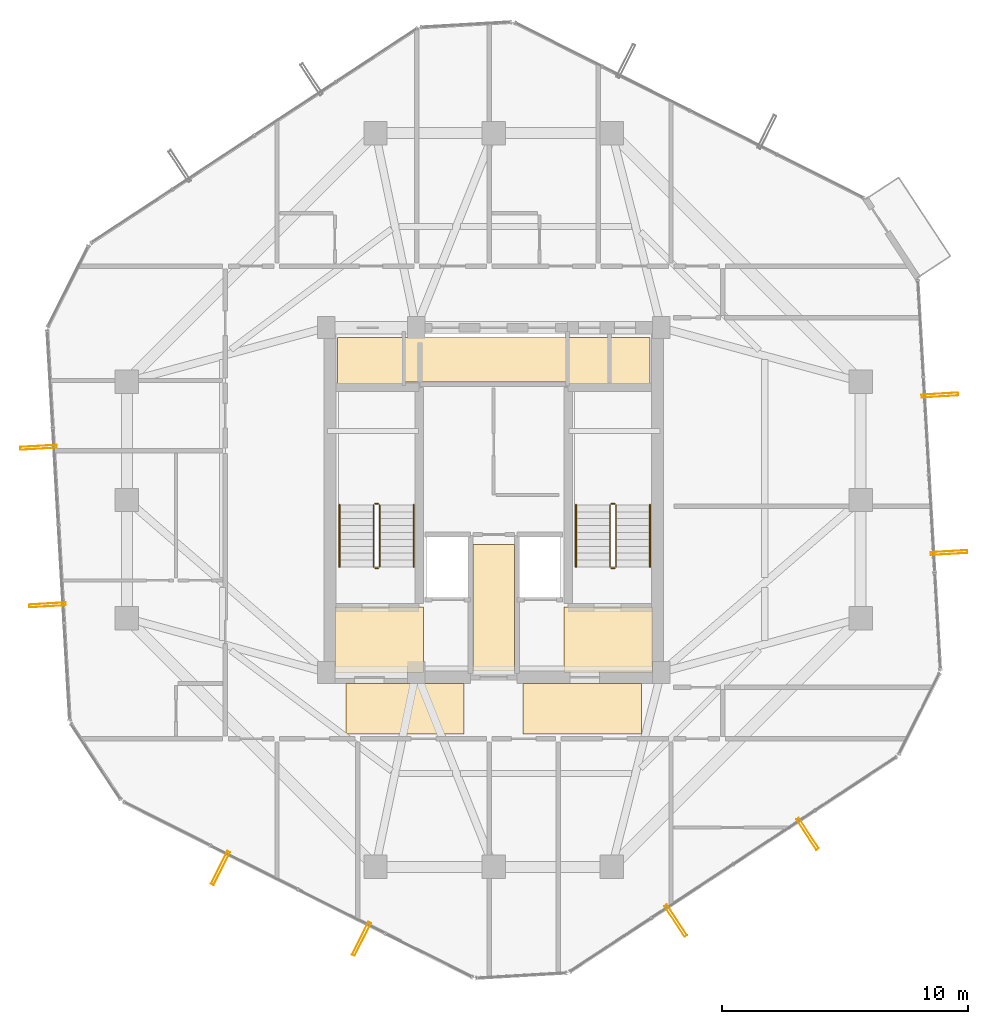
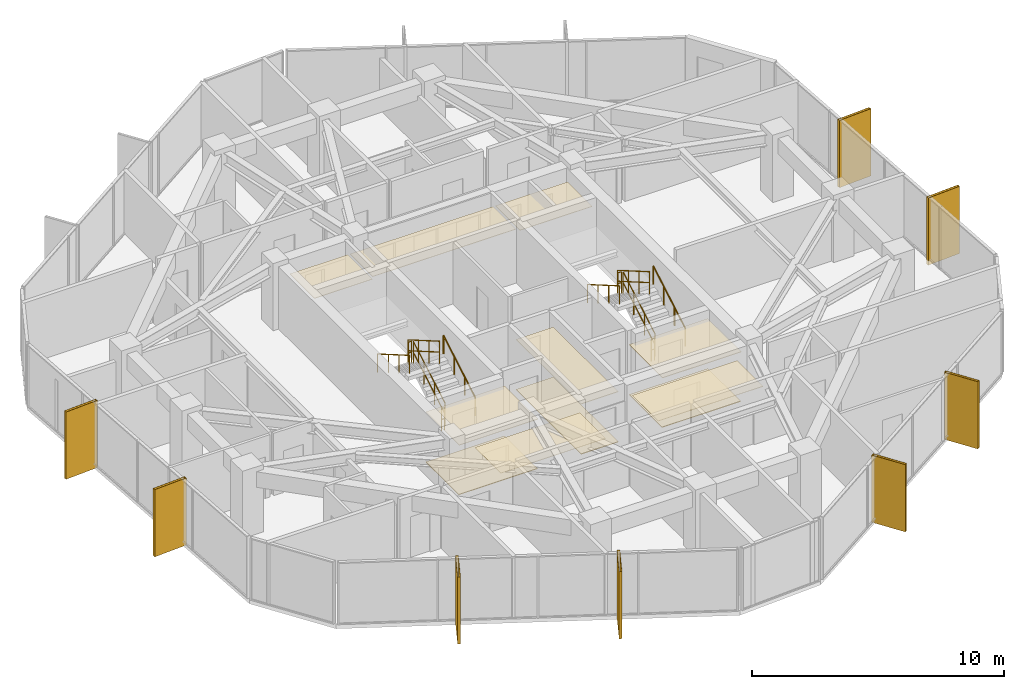
# One storey, part 32 of 33: 12 railings, 11 coverings, 8 shading devices.
"""IFC4 building model written with IfcOpenShell, lengths in metres."""

from ifc_helpers import new_model, si_unit, direction, frame, origin, origin_2d, place, context, subcontext, project, spatial, polyline, hollow_rectangle, circle, outline, extrude, material, layer, layer_set, material_profile, profile_set, type_object, element, save


model = new_model("IFC4")

# Units and contexts
model_context = context("Model", 3, precision=1e-05, world=origin(), true_north=direction((0.0, 1.0)))
body_context = subcontext(model_context, "Body", "Model", "MODEL_VIEW")
ifc_project = project(units=[si_unit("LENGTHUNIT", "METRE"), si_unit("AREAUNIT", "SQUARE_METRE"), si_unit("VOLUMEUNIT", "CUBIC_METRE"), si_unit("PLANEANGLEUNIT", "RADIAN"), si_unit("MASSUNIT", "GRAM", prefix="KILO")], contexts=[model_context])

# Site, building, storey
site_placement = place(None, origin())
site = spatial("IfcSite", under=ifc_project, at=site_placement, CompositionType="ELEMENT")
building_placement = place(site_placement, origin())
building = spatial("IfcBuilding", under=site, at=building_placement, Name="Veraguas Prism Commons", CompositionType="ELEMENT")
storey_placement = place(building_placement, frame((0.0, 0.0, 195.10009765625)))
storey = spatial("IfcBuildingStorey", under=building, at=storey_placement, Name="L55", CompositionType="ELEMENT", Elevation=195.10009765625)

# Shading devices
ifc_material_1 = material(Name="Anodised aluminium EN AW-6063 T6", Category="aluminium")
ifc_material_profile = material_profile(ifc_material_1, hollow_rectangle(XDim=0.1201171875, YDim=1.489990234375, WallThickness=0.006103515625, at=origin_2d()), Name="FIN120X1490X6")
ifc_profile_set = profile_set([ifc_material_profile], Name="Anodised aluminium EN AW-6063 T6")
shading_device_type = type_object("IfcShadingDeviceType", Name="Deep Pale-Metal Vertical Solar Fin 120x1490", PredefinedType="USERDEFINED", material=ifc_profile_set)
for number, where, z_axis, x_axis, name in (
    (1, (5.510009765625, 26.13720703125, -0.215087890625), (0.0, 0.0, 1.0), (0.057912510481, -0.998321662156, 0.0), "Vertical Pale-Metal Solar Fin L55-F3A"),
    (2, (5.881103515625, 19.739013671875, -0.215087890625), (0.0, 0.0, 1.0), (0.057912510481, -0.998321662156, 0.0), "Vertical Pale-Metal Solar Fin L55-F3B"),
    (3, (12.904052734375, 9.055908203125, -0.215087890625), (0.0, 0.0, 1.0), (0.893528175816, -0.449007125805, 0.0), "Vertical Pale-Metal Solar Fin L55-F4A"),
    (4, (18.630615234375, 6.177978515625, -0.215087890625), (0.0, 0.0, 1.0), (0.893528175816, -0.449007125805, 0.0), "Vertical Pale-Metal Solar Fin L55-F4B"),
    (5, (31.39404296875, 6.91845703125, -0.215087890625), (0.0, 0.0, 1.0), (0.835617582799, 0.549311619499, 0.0), "Vertical Pale-Metal Solar Fin L55-F5A"),
    (6, (36.74951171875, 10.43896484375, -0.215087890625), (0.0, 0.0, 1.0), (0.835617582799, 0.549311619499, 0.0), "Vertical Pale-Metal Solar Fin L55-F5B"),
    (7, (42.489990234375, 21.86279296875, -0.215087890625), (0.0, 0.0, 1.0), (-0.057912510481, 0.998321662156, 0.0), "Vertical Pale-Metal Solar Fin L55-F6A"),
    (8, (42.118896484375, 28.260986328125, -0.215087890625), (0.0, 0.0, 1.0), (-0.057912510481, 0.998321662156, 0.0), "Vertical Pale-Metal Solar Fin L55-F6B"),
):
    element("IfcShadingDevice", number, at=place(storey_placement, frame(where, z_axis=z_axis, x_axis=x_axis)), inside=storey, type_object=shading_device_type, Name=name, ObjectType="FIN", PredefinedType="USERDEFINED", context=body_context, shape_type="SweptSolid", body=[
        extrude(hollow_rectangle(XDim=0.1201171875, YDim=1.489990234375, WallThickness=0.006103515625, at=origin_2d()), origin(), (0.0, 0.0, 1.0), 3.25),
    ])

# Coverings
ifc_material_2 = material(Name="Acoustic gypsum board")
ifc_layer_1 = layer(ifc_material_2, 0.02490234375, Name="Perforated Acoustic Ceiling Tile 25")
ifc_layer_set_1 = layer_set([ifc_layer_1], Name="Acoustic gypsum board")
covering_type_1 = type_object("IfcCoveringType", Name="Perforated Acoustic Ceiling Tile 25", PredefinedType="USERDEFINED", material=ifc_layer_set_1)
covering_1_placement = place(storey_placement, frame((0.0, 0.0, 2.4248046875)))
element("IfcCovering", 9, at=covering_1_placement, inside=storey, type_object=covering_type_1, Name="East Lobby Acoustic Ceiling L55", ObjectType="ACOUSTIC CEILING", PredefinedType="USERDEFINED", context=body_context, shape_type="SweptSolid", body=[
    extrude(outline(polyline([(26.85009765625, 17.0), (30.449951171875, 17.0), (30.449951171875, 19.64990234375), (26.85009765625, 19.64990234375), (26.85009765625, 17.0)])), origin(), (0.0, 0.0, 1.0), 0.025146484375),
])
ifc_material_3 = material(Name="Terrazzo stone finish", Category="masonry")
ifc_layer_2 = layer(ifc_material_3, 0.030029296875, Name="Polished Terrazzo Floor Finish 30", Category="masonry")
ifc_layer_set_2 = layer_set([ifc_layer_2], Name="Terrazzo stone finish")
covering_type_2 = type_object("IfcCoveringType", Name="Polished Terrazzo Floor Finish 30", PredefinedType="FLOORING", material=ifc_layer_set_2)
covering_2_placement = place(storey_placement, origin())
element("IfcCovering", 10, at=covering_2_placement, inside=storey, type_object=covering_type_2, Name="Terrazzo Lobby Flooring L55", PredefinedType="FLOORING", context=body_context, shape_type="SweptSolid", body=[
    extrude(outline(polyline([(23.14990234375, 17.050048828125), (24.85009765625, 17.050048828125), (24.85009765625, 22.199951171875), (23.14990234375, 22.199951171875), (23.14990234375, 17.050048828125)])), origin(), (0.0, 0.0, 1.0), 0.02978515625),
])
covering_3_placement = place(storey_placement, origin())
element("IfcCovering", 11, at=covering_3_placement, inside=storey, type_object=covering_type_2, Name="West FF Lobby Terrazzo Flooring L55", PredefinedType="FLOORING", context=body_context, shape_type="SweptSolid", body=[
    extrude(outline(polyline([(17.550048828125, 17.050048828125), (21.14990234375, 17.050048828125), (21.14990234375, 19.64990234375), (17.550048828125, 19.64990234375), (17.550048828125, 17.050048828125)])), origin(), (0.0, 0.0, 1.0), 0.02978515625),
])
covering_4_placement = place(storey_placement, origin())
element("IfcCovering", 12, at=covering_4_placement, inside=storey, type_object=covering_type_2, Name="East FF Lobby Terrazzo Flooring L55", PredefinedType="FLOORING", context=body_context, shape_type="SweptSolid", body=[
    extrude(outline(polyline([(26.85009765625, 17.050048828125), (30.449951171875, 17.050048828125), (30.449951171875, 19.64990234375), (26.85009765625, 19.64990234375), (26.85009765625, 17.050048828125)])), origin(), (0.0, 0.0, 1.0), 0.02978515625),
])

# Railings
ifc_material_4 = material(Name="Stainless steel AISI 316", Category="steel")
railing_type_1 = type_object("IfcRailingType", Name="Stair and Ramp Stainless Handrail 900", PredefinedType="HANDRAIL", material=ifc_material_4)
railing_1_placement = place(storey_placement, frame((20.75, 21.280029296875, 0.162353515625)))
element("IfcRailing", 13, at=railing_1_placement, inside=storey, type_object=railing_type_1, Name="Stair Handrail ST-01 L55-1", PredefinedType="HANDRAIL", context=body_context, shape_type="SweptSolid", body=[
    extrude(circle(Radius=0.02392578125, at=origin_2d()), frame((0.0, 0.0, 0.8759765625), z_axis=(0.0, 0.864876961378, 0.501983905795), x_axis=(-1.0, 0.0, 0.0)), (0.0, 0.0, 1.0), 2.913818359375),
    extrude(circle(Radius=0.02099609375, at=origin_2d()), origin(), (0.0, 0.0, 1.0), 0.851806640625),
    extrude(circle(Radius=0.02099609375, at=origin_2d()), frame((0.0, 0.840087890625, 0.487548828125)), (0.0, 0.0, 1.0), 0.851806640625),
    extrude(circle(Radius=0.02099609375, at=origin_2d()), frame((0.0, 1.679931640625, 0.97509765625)), (0.0, 0.0, 1.0), 0.851806640625),
    extrude(circle(Radius=0.02099609375, at=origin_2d()), frame((0.0, 2.52001953125, 1.462646484375)), (0.0, 0.0, 1.0), 0.851806640625),
])
railing_2_placement = place(storey_placement, frame((17.739990234375, 23.800048828125, 1.787353515625)))
element("IfcRailing", 14, at=railing_2_placement, inside=storey, type_object=railing_type_1, Name="Stair Handrail ST-01 L55-2", PredefinedType="HANDRAIL", context=body_context, shape_type="SweptSolid", body=[
    extrude(circle(Radius=0.02392578125, at=origin_2d()), frame((0.0, 0.0, 0.8759765625), z_axis=(0.0, -0.864876961378, 0.501983905795), x_axis=(1.0, 0.0, 0.0)), (0.0, 0.0, 1.0), 2.913818359375),
    extrude(circle(Radius=0.02099609375, at=origin_2d()), origin(), (0.0, 0.0, 1.0), 0.851806640625),
    extrude(circle(Radius=0.02099609375, at=origin_2d()), frame((0.0, -0.840087890625, 0.487548828125)), (0.0, 0.0, 1.0), 0.851806640625),
    extrude(circle(Radius=0.02099609375, at=origin_2d()), frame((0.0, -1.679931640625, 0.97509765625)), (0.0, 0.0, 1.0), 0.851806640625),
    extrude(circle(Radius=0.02099609375, at=origin_2d()), frame((0.0, -2.52001953125, 1.462646484375)), (0.0, 0.0, 1.0), 0.851806640625),
])
railing_3_placement = place(storey_placement, frame((30.35009765625, 21.280029296875, 0.162353515625)))
element("IfcRailing", 15, at=railing_3_placement, inside=storey, type_object=railing_type_1, Name="Stair Handrail ST-02 L55-1", PredefinedType="HANDRAIL", context=body_context, shape_type="SweptSolid", body=[
    extrude(circle(Radius=0.02392578125, at=origin_2d()), frame((0.0, 0.0, 0.8759765625), z_axis=(0.0, 0.864876961378, 0.501983905795), x_axis=(-1.0, 0.0, 0.0)), (0.0, 0.0, 1.0), 2.913818359375),
    extrude(circle(Radius=0.02099609375, at=origin_2d()), origin(), (0.0, 0.0, 1.0), 0.851806640625),
    extrude(circle(Radius=0.02099609375, at=origin_2d()), frame((0.0, 0.840087890625, 0.487548828125)), (0.0, 0.0, 1.0), 0.851806640625),
    extrude(circle(Radius=0.02099609375, at=origin_2d()), frame((0.0, 1.679931640625, 0.97509765625)), (0.0, 0.0, 1.0), 0.851806640625),
    extrude(circle(Radius=0.02099609375, at=origin_2d()), frame((0.0, 2.52001953125, 1.462646484375)), (0.0, 0.0, 1.0), 0.851806640625),
])
railing_4_placement = place(storey_placement, frame((27.340087890625, 23.800048828125, 1.787353515625)))
element("IfcRailing", 16, at=railing_4_placement, inside=storey, type_object=railing_type_1, Name="Stair Handrail ST-02 L55-2", PredefinedType="HANDRAIL", context=body_context, shape_type="SweptSolid", body=[
    extrude(circle(Radius=0.02392578125, at=origin_2d()), frame((0.0, 0.0, 0.8759765625), z_axis=(0.0, -0.864876961378, 0.501983905795), x_axis=(1.0, 0.0, 0.0)), (0.0, 0.0, 1.0), 2.913818359375),
    extrude(circle(Radius=0.02099609375, at=origin_2d()), origin(), (0.0, 0.0, 1.0), 0.851806640625),
    extrude(circle(Radius=0.02099609375, at=origin_2d()), frame((0.0, -0.840087890625, 0.487548828125)), (0.0, 0.0, 1.0), 0.851806640625),
    extrude(circle(Radius=0.02099609375, at=origin_2d()), frame((0.0, -1.679931640625, 0.97509765625)), (0.0, 0.0, 1.0), 0.851806640625),
    extrude(circle(Radius=0.02099609375, at=origin_2d()), frame((0.0, -2.52001953125, 1.462646484375)), (0.0, 0.0, 1.0), 0.851806640625),
])
railing_type_2 = type_object("IfcRailingType", Name="Stairwell Safety Guardrail 1100", PredefinedType="GUARDRAIL", material=ifc_material_4)
railing_5_placement = place(storey_placement, frame((19.3701171875, 21.280029296875, 0.162353515625)))
element("IfcRailing", 17, at=railing_5_placement, inside=storey, type_object=railing_type_2, Name="Stair Guard ST-01 L55-1", PredefinedType="GUARDRAIL", context=body_context, shape_type="SweptSolid", body=[
    extrude(circle(Radius=0.02392578125, at=origin_2d()), frame((0.0, 0.0, 1.076171875), z_axis=(0.0, 0.864876961378, 0.501983905795), x_axis=(-1.0, 0.0, 0.0)), (0.0, 0.0, 1.0), 2.913818359375),
    extrude(circle(Radius=0.02392578125, at=origin_2d()), frame((0.0, 0.0, 0.550048828125), z_axis=(0.0, 0.864876961378, 0.501983905795), x_axis=(-1.0, 0.0, 0.0)), (0.0, 0.0, 1.0), 2.913818359375),
    extrude(circle(Radius=0.02099609375, at=origin_2d()), origin(), (0.0, 0.0, 1.0), 1.052001953125),
    extrude(circle(Radius=0.02099609375, at=origin_2d()), frame((0.0, 0.840087890625, 0.487548828125)), (0.0, 0.0, 1.0), 1.052001953125),
    extrude(circle(Radius=0.02099609375, at=origin_2d()), frame((0.0, 1.679931640625, 0.97509765625)), (0.0, 0.0, 1.0), 1.052001953125),
    extrude(circle(Radius=0.02099609375, at=origin_2d()), frame((0.0, 2.52001953125, 1.462646484375)), (0.0, 0.0, 1.0), 1.052001953125),
])
railing_6_placement = place(storey_placement, frame((19.320068359375, 23.85009765625, 1.625)))
element("IfcRailing", 18, at=railing_6_placement, inside=storey, type_object=railing_type_2, Name="Stair Guard ST-01 L55-2", PredefinedType="GUARDRAIL", context=body_context, shape_type="SweptSolid", body=[
    extrude(circle(Radius=0.02392578125, at=origin_2d()), frame((0.0, 0.0, 1.076171875), z_axis=(-1.0, 0.0, 0.0), x_axis=(0.0, -1.0, 0.0)), (0.0, 0.0, 1.0), 0.150146484375),
    extrude(circle(Radius=0.02392578125, at=origin_2d()), frame((0.0, 0.0, 0.550048828125), z_axis=(-1.0, 0.0, 0.0), x_axis=(0.0, -1.0, 0.0)), (0.0, 0.0, 1.0), 0.150146484375),
    extrude(circle(Radius=0.02099609375, at=origin_2d()), origin(), (0.0, 0.0, 1.0), 1.052001953125),
    extrude(circle(Radius=0.02099609375, at=origin_2d()), frame((-0.150146484375, 0.0, 0.0)), (0.0, 0.0, 1.0), 1.052001953125),
])
railing_7_placement = place(storey_placement, frame((19.1201171875, 23.800048828125, 1.787353515625)))
element("IfcRailing", 19, at=railing_7_placement, inside=storey, type_object=railing_type_2, Name="Stair Guard ST-01 L55-3", PredefinedType="GUARDRAIL", context=body_context, shape_type="SweptSolid", body=[
    extrude(circle(Radius=0.02392578125, at=origin_2d()), frame((0.0, 0.0, 1.076171875), z_axis=(0.0, -0.864876961378, 0.501983905795), x_axis=(1.0, 0.0, 0.0)), (0.0, 0.0, 1.0), 2.913818359375),
    extrude(circle(Radius=0.02392578125, at=origin_2d()), frame((0.0, 0.0, 0.550048828125), z_axis=(0.0, -0.864876961378, 0.501983905795), x_axis=(1.0, 0.0, 0.0)), (0.0, 0.0, 1.0), 2.913818359375),
    extrude(circle(Radius=0.02099609375, at=origin_2d()), origin(), (0.0, 0.0, 1.0), 1.052001953125),
    extrude(circle(Radius=0.02099609375, at=origin_2d()), frame((0.0, -0.840087890625, 0.487548828125)), (0.0, 0.0, 1.0), 1.052001953125),
    extrude(circle(Radius=0.02099609375, at=origin_2d()), frame((0.0, -1.679931640625, 0.97509765625)), (0.0, 0.0, 1.0), 1.052001953125),
    extrude(circle(Radius=0.02099609375, at=origin_2d()), frame((0.0, -2.52001953125, 1.462646484375)), (0.0, 0.0, 1.0), 1.052001953125),
])
railing_8_placement = place(storey_placement, frame((19.320068359375, 21.22998046875, 0.0)))
element("IfcRailing", 20, at=railing_8_placement, inside=storey, type_object=railing_type_2, Name="Stair Guard ST-01 L55-4", PredefinedType="GUARDRAIL", context=body_context, shape_type="SweptSolid", body=[
    extrude(circle(Radius=0.02392578125, at=origin_2d()), frame((0.0, 0.0, 1.076171875), z_axis=(-1.0, 0.0, 0.0), x_axis=(0.0, -1.0, 0.0)), (0.0, 0.0, 1.0), 0.150146484375),
    extrude(circle(Radius=0.02392578125, at=origin_2d()), frame((0.0, 0.0, 0.550048828125), z_axis=(-1.0, 0.0, 0.0), x_axis=(0.0, -1.0, 0.0)), (0.0, 0.0, 1.0), 0.150146484375),
    extrude(circle(Radius=0.02099609375, at=origin_2d()), origin(), (0.0, 0.0, 1.0), 1.052001953125),
    extrude(circle(Radius=0.02099609375, at=origin_2d()), frame((-0.150146484375, 0.0, 0.0)), (0.0, 0.0, 1.0), 1.052001953125),
])
railing_9_placement = place(storey_placement, frame((28.969970703125, 21.280029296875, 0.162353515625)))
element("IfcRailing", 21, at=railing_9_placement, inside=storey, type_object=railing_type_2, Name="Stair Guard ST-02 L55-1", PredefinedType="GUARDRAIL", context=body_context, shape_type="SweptSolid", body=[
    extrude(circle(Radius=0.02392578125, at=origin_2d()), frame((0.0, 0.0, 1.076171875), z_axis=(0.0, 0.864876961378, 0.501983905795), x_axis=(-1.0, 0.0, 0.0)), (0.0, 0.0, 1.0), 2.913818359375),
    extrude(circle(Radius=0.02392578125, at=origin_2d()), frame((0.0, 0.0, 0.550048828125), z_axis=(0.0, 0.864876961378, 0.501983905795), x_axis=(-1.0, 0.0, 0.0)), (0.0, 0.0, 1.0), 2.913818359375),
    extrude(circle(Radius=0.02099609375, at=origin_2d()), origin(), (0.0, 0.0, 1.0), 1.052001953125),
    extrude(circle(Radius=0.02099609375, at=origin_2d()), frame((0.0, 0.840087890625, 0.487548828125)), (0.0, 0.0, 1.0), 1.052001953125),
    extrude(circle(Radius=0.02099609375, at=origin_2d()), frame((0.0, 1.679931640625, 0.97509765625)), (0.0, 0.0, 1.0), 1.052001953125),
    extrude(circle(Radius=0.02099609375, at=origin_2d()), frame((0.0, 2.52001953125, 1.462646484375)), (0.0, 0.0, 1.0), 1.052001953125),
])
railing_10_placement = place(storey_placement, frame((28.919921875, 23.85009765625, 1.625)))
element("IfcRailing", 22, at=railing_10_placement, inside=storey, type_object=railing_type_2, Name="Stair Guard ST-02 L55-2", PredefinedType="GUARDRAIL", context=body_context, shape_type="SweptSolid", body=[
    extrude(circle(Radius=0.02392578125, at=origin_2d()), frame((0.0, 0.0, 1.076171875), z_axis=(-1.0, 0.0, 0.0), x_axis=(0.0, -1.0, 0.0)), (0.0, 0.0, 1.0), 0.14990234375),
    extrude(circle(Radius=0.02392578125, at=origin_2d()), frame((0.0, 0.0, 0.550048828125), z_axis=(-1.0, 0.0, 0.0), x_axis=(0.0, -1.0, 0.0)), (0.0, 0.0, 1.0), 0.14990234375),
    extrude(circle(Radius=0.02099609375, at=origin_2d()), origin(), (0.0, 0.0, 1.0), 1.052001953125),
    extrude(circle(Radius=0.02099609375, at=origin_2d()), frame((-0.14990234375, 0.0, 0.0)), (0.0, 0.0, 1.0), 1.052001953125),
])
railing_11_placement = place(storey_placement, frame((28.719970703125, 23.800048828125, 1.787353515625)))
element("IfcRailing", 23, at=railing_11_placement, inside=storey, type_object=railing_type_2, Name="Stair Guard ST-02 L55-3", PredefinedType="GUARDRAIL", context=body_context, shape_type="SweptSolid", body=[
    extrude(circle(Radius=0.02392578125, at=origin_2d()), frame((0.0, 0.0, 1.076171875), z_axis=(0.0, -0.864876961378, 0.501983905795), x_axis=(1.0, 0.0, 0.0)), (0.0, 0.0, 1.0), 2.913818359375),
    extrude(circle(Radius=0.02392578125, at=origin_2d()), frame((0.0, 0.0, 0.550048828125), z_axis=(0.0, -0.864876961378, 0.501983905795), x_axis=(1.0, 0.0, 0.0)), (0.0, 0.0, 1.0), 2.913818359375),
    extrude(circle(Radius=0.02099609375, at=origin_2d()), origin(), (0.0, 0.0, 1.0), 1.052001953125),
    extrude(circle(Radius=0.02099609375, at=origin_2d()), frame((0.0, -0.840087890625, 0.487548828125)), (0.0, 0.0, 1.0), 1.052001953125),
    extrude(circle(Radius=0.02099609375, at=origin_2d()), frame((0.0, -1.679931640625, 0.97509765625)), (0.0, 0.0, 1.0), 1.052001953125),
    extrude(circle(Radius=0.02099609375, at=origin_2d()), frame((0.0, -2.52001953125, 1.462646484375)), (0.0, 0.0, 1.0), 1.052001953125),
])
railing_12_placement = place(storey_placement, frame((28.919921875, 21.22998046875, 0.0)))
element("IfcRailing", 24, at=railing_12_placement, inside=storey, type_object=railing_type_2, Name="Stair Guard ST-02 L55-4", PredefinedType="GUARDRAIL", context=body_context, shape_type="SweptSolid", body=[
    extrude(circle(Radius=0.02392578125, at=origin_2d()), frame((0.0, 0.0, 1.076171875), z_axis=(-1.0, 0.0, 0.0), x_axis=(0.0, -1.0, 0.0)), (0.0, 0.0, 1.0), 0.14990234375),
    extrude(circle(Radius=0.02392578125, at=origin_2d()), frame((0.0, 0.0, 0.550048828125), z_axis=(-1.0, 0.0, 0.0), x_axis=(0.0, -1.0, 0.0)), (0.0, 0.0, 1.0), 0.14990234375),
    extrude(circle(Radius=0.02099609375, at=origin_2d()), origin(), (0.0, 0.0, 1.0), 1.052001953125),
    extrude(circle(Radius=0.02099609375, at=origin_2d()), frame((-0.14990234375, 0.0, 0.0)), (0.0, 0.0, 1.0), 1.052001953125),
])

# Coverings
ifc_layer_3 = layer(ifc_material_2, 0.02001953125, Name="Suspended Gypsum Ceiling 20")
ifc_layer_set_3 = layer_set([ifc_layer_3], Name="Acoustic gypsum board")
covering_type_3 = type_object("IfcCoveringType", Name="Suspended Gypsum Ceiling 20", PredefinedType="CEILING", material=ifc_layer_set_3)
covering_5_placement = place(storey_placement, frame((0.0, 0.0, 2.429931640625)))
element("IfcCovering", 25, at=covering_5_placement, inside=storey, type_object=covering_type_3, Name="West Lobby Suspended Gypsum Ceiling L55", PredefinedType="CEILING", context=body_context, shape_type="SweptSolid", body=[
    extrude(outline(polyline([(17.550048828125, 17.0), (21.14990234375, 17.0), (21.14990234375, 19.64990234375), (17.550048828125, 19.64990234375), (17.550048828125, 17.0)])), origin(), (0.0, 0.0, 1.0), 0.02001953125),
])
covering_6_placement = place(storey_placement, frame((0.0, 0.0, 2.429931640625)))
element("IfcCovering", 26, at=covering_6_placement, inside=storey, type_object=covering_type_3, Name="Core Lobby Acoustic Ceiling L55-1", PredefinedType="CEILING", context=body_context, shape_type="SweptSolid", body=[
    extrude(outline(polyline([(18.0, 14.5), (22.800048828125, 14.5), (22.800048828125, 16.550048828125), (18.0, 16.550048828125), (18.0, 14.5)])), origin(), (0.0, 0.0, 1.0), 0.02001953125),
])
covering_7_placement = place(storey_placement, frame((0.0, 0.0, 2.429931640625)))
element("IfcCovering", 27, at=covering_7_placement, inside=storey, type_object=covering_type_3, Name="Core Lobby Acoustic Ceiling L55-2", PredefinedType="CEILING", context=body_context, shape_type="SweptSolid", body=[
    extrude(outline(polyline([(25.199951171875, 14.5), (30.0, 14.5), (30.0, 16.550048828125), (25.199951171875, 16.550048828125), (25.199951171875, 14.5)])), origin(), (0.0, 0.0, 1.0), 0.02001953125),
])
covering_8_placement = place(storey_placement, frame((0.0, 0.0, 2.429931640625)))
element("IfcCovering", 28, at=covering_8_placement, inside=storey, type_object=covering_type_3, Name="Core Lobby Acoustic Ceiling L55-3", PredefinedType="CEILING", context=body_context, shape_type="SweptSolid", body=[
    extrude(outline(polyline([(23.14990234375, 17.050048828125), (24.85009765625, 17.050048828125), (24.85009765625, 22.199951171875), (23.14990234375, 22.199951171875), (23.14990234375, 17.050048828125)])), origin(), (0.0, 0.0, 1.0), 0.02001953125),
])
covering_9_placement = place(storey_placement, frame((0.0, 0.0, 2.429931640625)))
element("IfcCovering", 29, at=covering_9_placement, inside=storey, type_object=covering_type_3, Name="Core Lobby Acoustic Ceiling L55-4", PredefinedType="CEILING", context=body_context, shape_type="SweptSolid", body=[
    extrude(outline(polyline([(17.64990234375, 28.64990234375), (20.300048828125, 28.64990234375), (20.300048828125, 30.60009765625), (17.64990234375, 30.60009765625), (17.64990234375, 28.64990234375)])), origin(), (0.0, 0.0, 1.0), 0.02001953125),
])
covering_10_placement = place(storey_placement, frame((0.0, 0.0, 2.429931640625)))
element("IfcCovering", 30, at=covering_10_placement, inside=storey, type_object=covering_type_3, Name="Core Lobby Acoustic Ceiling L55-5", PredefinedType="CEILING", context=body_context, shape_type="SweptSolid", body=[
    extrude(outline(polyline([(27.050048828125, 28.64990234375), (30.35009765625, 28.64990234375), (30.35009765625, 30.60009765625), (27.050048828125, 30.60009765625), (27.050048828125, 28.64990234375)])), origin(), (0.0, 0.0, 1.0), 0.02001953125),
])
covering_11_placement = place(storey_placement, frame((0.0, 0.0, 2.429931640625)))
element("IfcCovering", 31, at=covering_11_placement, inside=storey, type_object=covering_type_3, Name="Core Lobby Acoustic Ceiling L55-6", PredefinedType="CEILING", context=body_context, shape_type="SweptSolid", body=[
    extrude(outline(polyline([(20.39990234375, 28.800048828125), (26.949951171875, 28.800048828125), (26.949951171875, 30.60009765625), (20.39990234375, 30.60009765625), (20.39990234375, 28.800048828125)])), origin(), (0.0, 0.0, 1.0), 0.02001953125),
])

save(model, "model.ifc")
